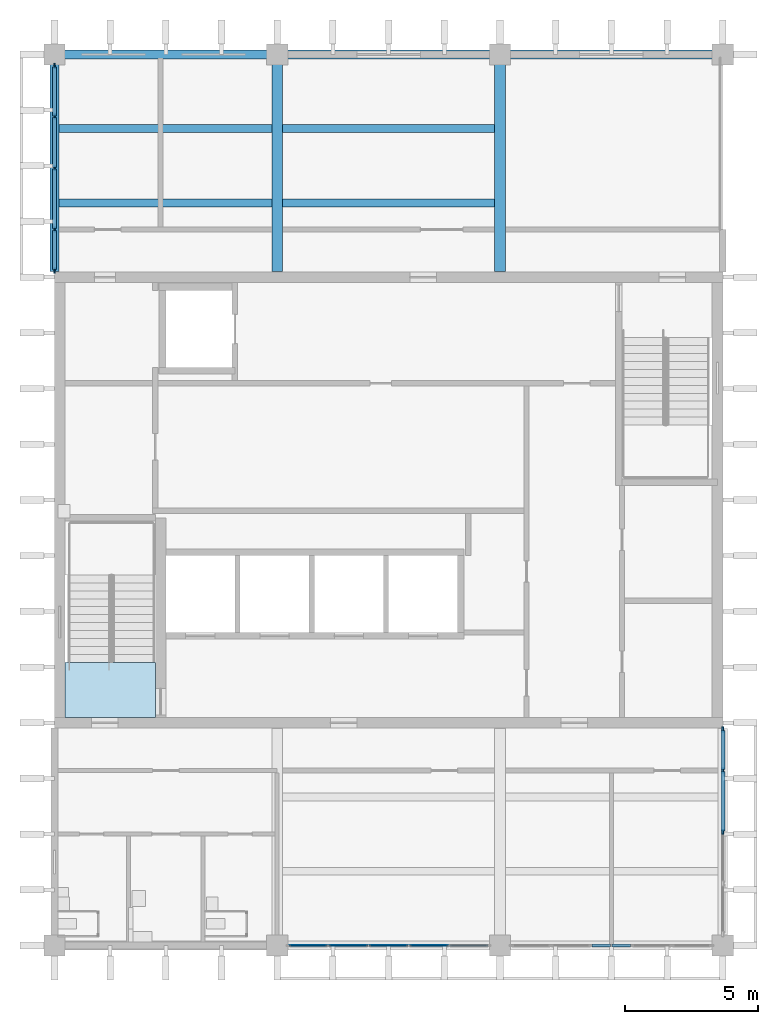
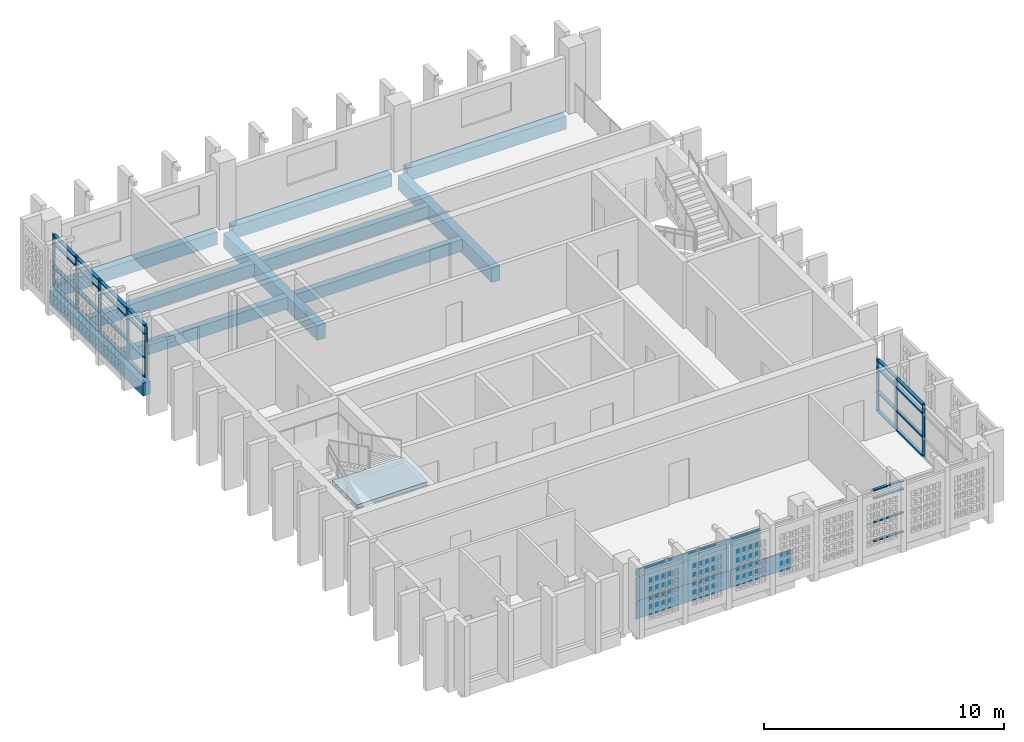
# One storey, part 3 of 13: 40 members, 13 plates, 10 beams, 1 slab, 5 elements without a shape of their own.
"""IFC4 building model written with IfcOpenShell, lengths in metres."""

from ifc_helpers import new_model, si_unit, direction, frame, origin, origin_2d, place, context, subcontext, project, spatial, polyline, rectangle, outline, extrude, material, layer, layer_set, material_profile, profile_set, type_object, element, aggregate, save


model = new_model("IFC4")

# Units and contexts
model_context = context("Model", 3, precision=1e-05, world=origin(), true_north=direction((0.0, 1.0)))
body_context = subcontext(model_context, "Body", "Model", "MODEL_VIEW")
ifc_project = project(units=[si_unit("LENGTHUNIT", "METRE"), si_unit("AREAUNIT", "SQUARE_METRE"), si_unit("VOLUMEUNIT", "CUBIC_METRE"), si_unit("PLANEANGLEUNIT", "RADIAN"), si_unit("MASSUNIT", "GRAM", prefix="KILO")], contexts=[model_context])

# Site, building, storey
site_placement = place(None, origin())
site = spatial("IfcSite", under=ifc_project, at=site_placement, CompositionType="ELEMENT")
building_placement = place(site_placement, origin())
building = spatial("IfcBuilding", under=site, at=building_placement, Name="Rulbaag Community and Learning Centre", CompositionType="ELEMENT")
storey_placement = place(building_placement, frame((0.0, 0.0, 39.60009765625)))
storey = spatial("IfcBuildingStorey", under=building, at=storey_placement, Name="L10", CompositionType="ELEMENT", Elevation=39.60009765625)

# Beams
ifc_material_1 = material(Name="Concrete M40", Category="concrete")
ifc_material_profile_1 = material_profile(ifc_material_1, rectangle(XDim=0.35009765625, YDim=0.64990234375, at=origin_2d()), Name="RB350x650")
ifc_profile_set_1 = profile_set([ifc_material_profile_1], Name="Concrete M40")
beam_type_1 = type_object("IfcBeamType", Name="B14 Tower edge beam, upper zone 350x650 Concrete M40", PredefinedType="BEAM", material=ifc_profile_set_1)
beam_1_placement = place(storey_placement, frame((142.800048828125, 109.425048828125, -0.550048828125), z_axis=(0.0, 1.0, 0.0), x_axis=(-1.0, 0.0, 0.0)))
element("IfcBeam", 1, at=beam_1_placement, inside=storey, type_object=beam_type_1, Name="BM-L10-18N-18O", PredefinedType="BEAM", context=body_context, shape_type="SweptSolid", body=[
    extrude(rectangle(XDim=0.35009765625, YDim=0.64990234375, at=origin_2d()), origin(), (0.0, 0.0, 1.0), 7.794921875),
])
beam_2_placement = place(storey_placement, frame((143.179931640625, 117.60009765625, -0.550048828125), z_axis=(1.0, 0.0, 0.0), x_axis=(0.0, 1.0, 0.0)))
element("IfcBeam", 2, at=beam_2_placement, inside=storey, type_object=beam_type_1, Name="BM-L10-18O-19O", PredefinedType="BEAM", context=body_context, shape_type="SweptSolid", body=[
    extrude(rectangle(XDim=0.35009765625, YDim=0.64990234375, at=origin_2d()), origin(), (0.0, 0.0, 1.0), 7.64013671875),
])
beam_3_placement = place(storey_placement, frame((151.580078125, 117.60009765625, -0.550048828125), z_axis=(1.0, 0.0, 0.0), x_axis=(0.0, 1.0, 0.0)))
element("IfcBeam", 3, at=beam_3_placement, inside=storey, type_object=beam_type_1, Name="BM-L10-19O-20O", PredefinedType="BEAM", context=body_context, shape_type="SweptSolid", body=[
    extrude(rectangle(XDim=0.35009765625, YDim=0.64990234375, at=origin_2d()), origin(), (0.0, 0.0, 1.0), 7.639892578125),
])
beam_4_placement = place(storey_placement, frame((159.97998046875, 117.60009765625, -0.550048828125), z_axis=(1.0, 0.0, 0.0), x_axis=(0.0, 1.0, 0.0)))
element("IfcBeam", 4, at=beam_4_placement, inside=storey, type_object=beam_type_1, Name="BM-L10-20O-21O", PredefinedType="BEAM", context=body_context, shape_type="SweptSolid", body=[
    extrude(rectangle(XDim=0.35009765625, YDim=0.64990234375, at=origin_2d()), origin(), (0.0, 0.0, 1.0), 7.64013671875),
])
ifc_material_profile_2 = material_profile(ifc_material_1, rectangle(XDim=0.39990234375, YDim=0.75, at=origin_2d()), Name="RB400x750")
ifc_profile_set_2 = profile_set([ifc_material_profile_2], Name="Concrete M40")
beam_type_2 = type_object("IfcBeamType", Name="B15 Tower frame beam, middle zone 400x750 Concrete M40", PredefinedType="BEAM", material=ifc_profile_set_2)
for number, where, z_axis, x_axis, name in (
    (5, (151.199951171875, 109.425048828125, -0.60009765625), (0.0, 1.0, 0.0), (-1.0, 0.0, 0.0), "BM-L10-19N-19O"),
    (6, (159.60009765625, 109.425048828125, -0.60009765625), (0.0, 1.0, 0.0), (-1.0, 0.0, 0.0), "BM-L10-20N-20O"),
):
    element("IfcBeam", number, at=place(storey_placement, frame(where, z_axis=z_axis, x_axis=x_axis)), inside=storey, type_object=beam_type_2, Name=name, PredefinedType="BEAM", context=body_context, shape_type="SweptSolid", body=[
        extrude(rectangle(XDim=0.39990234375, YDim=0.75, at=origin_2d()), origin(), (0.0, 0.0, 1.0), 7.794921875),
    ])
ifc_material_profile_3 = material_profile(ifc_material_1, rectangle(XDim=0.300048828125, YDim=0.60009765625, at=origin_2d()), Name="RB300x600")
ifc_profile_set_3 = profile_set([ifc_material_profile_3], Name="Concrete M40")
beam_type_3 = type_object("IfcBeamType", Name="B30 Secondary joist 300x600 Concrete M40", PredefinedType="BEAM", material=ifc_profile_set_3)
for number, where, z_axis, x_axis, name in (
    (7, (142.97509765625, 112.0, -0.525146484375), (1.0, 0.0, 0.0), (0.0, 1.0, 0.0), "BM-JS-L10-18N-1"),
    (8, (142.97509765625, 114.800048828125, -0.525146484375), (1.0, 0.0, 0.0), (0.0, 1.0, 0.0), "BM-JS-L10-18N-2"),
):
    element("IfcBeam", number, at=place(storey_placement, frame(where, z_axis=z_axis, x_axis=x_axis)), inside=storey, type_object=beam_type_3, Name=name, PredefinedType="BEAM", context=body_context, shape_type="SweptSolid", body=[
        extrude(rectangle(XDim=0.300048828125, YDim=0.60009765625, at=origin_2d()), origin(), (0.0, 0.0, 1.0), 8.02490234375),
    ])
for number, where, z_axis, x_axis, name in (
    (9, (151.39990234375, 112.0, -0.525146484375), (1.0, 0.0, 0.0), (0.0, 1.0, 0.0), "BM-JS-L10-19N-1"),
    (10, (151.39990234375, 114.800048828125, -0.525146484375), (1.0, 0.0, 0.0), (0.0, 1.0, 0.0), "BM-JS-L10-19N-2"),
):
    element("IfcBeam", number, at=place(storey_placement, frame(where, z_axis=z_axis, x_axis=x_axis)), inside=storey, type_object=beam_type_3, Name=name, PredefinedType="BEAM", context=body_context, shape_type="SweptSolid", body=[
        extrude(rectangle(XDim=0.300048828125, YDim=0.60009765625, at=origin_2d()), origin(), (0.0, 0.0, 1.0), 8.0),
    ])

# Curtain wall, members
ifc_material_2 = material(Name="Aluminium", Category="aluminium")
ifc_layer_1 = layer(ifc_material_2, 0.14990234375)
ifc_layer_set_1 = layer_set([ifc_layer_1], Name="CW-S")
curtain_wall_type_1 = type_object("IfcCurtainWallType", Name="CW-S", PredefinedType="USERDEFINED", material=ifc_layer_set_1)
curtain_wall_1_placement = place(storey_placement, origin())
curtain_wall_1 = element("IfcCurtainWall", 11, at=curtain_wall_1_placement, inside=storey, type_object=curtain_wall_type_1, Name="GS-L10-02", ObjectType="UNITISED CURTAIN WALL", PredefinedType="USERDEFINED")
ifc_material_3 = material(Name="Aluminium transom", Category="aluminium")
ifc_material_profile_4 = material_profile(ifc_material_3, rectangle(XDim=0.125, YDim=0.06005859375, at=origin_2d()), Name="AL 60x125 T")
ifc_profile_set_4 = profile_set([ifc_material_profile_4], Name="Aluminium transom")
member_type_1 = type_object("IfcMemberType", Name="CW-S-TRN", PredefinedType="USERDEFINED", material=ifc_profile_set_4)
member_1_placement = place(storey_placement, frame((163.070068359375, 84.0, 0.02978515625), z_axis=(1.0, 0.0, 0.0), x_axis=(0.0, 1.0, 0.0)))
member_1 = element("IfcMember", 12, at=member_1_placement, type_object=member_type_1, Name="GS transom 3.1", ObjectType="TRANSOM", PredefinedType="USERDEFINED", context=body_context, shape_type="SweptSolid", body=[
    extrude(rectangle(XDim=0.125, YDim=0.06005859375, at=origin_2d()), origin(), (0.0, 0.0, 1.0), 0.699951171875),
])
member_2_placement = place(storey_placement, frame((163.070068359375, 84.0, 1.0), z_axis=(1.0, 0.0, 0.0), x_axis=(0.0, 1.0, 0.0)))
member_2 = element("IfcMember", 13, at=member_2_placement, type_object=member_type_1, Name="GS transom 3.2", ObjectType="TRANSOM", PredefinedType="USERDEFINED", context=body_context, shape_type="SweptSolid", body=[
    extrude(rectangle(XDim=0.125, YDim=0.06005859375, at=origin_2d()), origin(), (0.0, 0.0, 1.0), 0.699951171875),
])
member_3_placement = place(storey_placement, frame((163.070068359375, 84.0, 2.199951171875), z_axis=(1.0, 0.0, 0.0), x_axis=(0.0, 1.0, 0.0)))
member_3 = element("IfcMember", 14, at=member_3_placement, type_object=member_type_1, Name="GS transom 3.3", ObjectType="TRANSOM", PredefinedType="USERDEFINED", context=body_context, shape_type="SweptSolid", body=[
    extrude(rectangle(XDim=0.125, YDim=0.06005859375, at=origin_2d()), origin(), (0.0, 0.0, 1.0), 0.699951171875),
])
member_4_placement = place(storey_placement, frame((163.070068359375, 84.0, 2.619873046875), z_axis=(1.0, 0.0, 0.0), x_axis=(0.0, 1.0, 0.0)))
member_4 = element("IfcMember", 15, at=member_4_placement, type_object=member_type_1, Name="GS transom 3.4", ObjectType="TRANSOM", PredefinedType="USERDEFINED", context=body_context, shape_type="SweptSolid", body=[
    extrude(rectangle(XDim=0.125, YDim=0.06005859375, at=origin_2d()), origin(), (0.0, 0.0, 1.0), 0.699951171875),
])
member_5_placement = place(storey_placement, frame((163.830078125, 84.0, 0.02978515625), z_axis=(1.0, 0.0, 0.0), x_axis=(0.0, 1.0, 0.0)))
member_5 = element("IfcMember", 16, at=member_5_placement, type_object=member_type_1, Name="GS transom 4.1", ObjectType="TRANSOM", PredefinedType="USERDEFINED", context=body_context, shape_type="SweptSolid", body=[
    extrude(rectangle(XDim=0.125, YDim=0.06005859375, at=origin_2d()), origin(), (0.0, 0.0, 1.0), 0.699951171875),
])
member_6_placement = place(storey_placement, frame((163.830078125, 84.0, 1.0), z_axis=(1.0, 0.0, 0.0), x_axis=(0.0, 1.0, 0.0)))
member_6 = element("IfcMember", 17, at=member_6_placement, type_object=member_type_1, Name="GS transom 4.2", ObjectType="TRANSOM", PredefinedType="USERDEFINED", context=body_context, shape_type="SweptSolid", body=[
    extrude(rectangle(XDim=0.125, YDim=0.06005859375, at=origin_2d()), origin(), (0.0, 0.0, 1.0), 0.699951171875),
])
member_7_placement = place(storey_placement, frame((163.830078125, 84.0, 2.199951171875), z_axis=(1.0, 0.0, 0.0), x_axis=(0.0, 1.0, 0.0)))
member_7 = element("IfcMember", 18, at=member_7_placement, type_object=member_type_1, Name="GS transom 4.3", ObjectType="TRANSOM", PredefinedType="USERDEFINED", context=body_context, shape_type="SweptSolid", body=[
    extrude(rectangle(XDim=0.125, YDim=0.06005859375, at=origin_2d()), origin(), (0.0, 0.0, 1.0), 0.699951171875),
])
member_8_placement = place(storey_placement, frame((163.830078125, 84.0, 2.619873046875), z_axis=(1.0, 0.0, 0.0), x_axis=(0.0, 1.0, 0.0)))
member_8 = element("IfcMember", 19, at=member_8_placement, type_object=member_type_1, Name="GS transom 4.4", ObjectType="TRANSOM", PredefinedType="USERDEFINED", context=body_context, shape_type="SweptSolid", body=[
    extrude(rectangle(XDim=0.125, YDim=0.06005859375, at=origin_2d()), origin(), (0.0, 0.0, 1.0), 0.699951171875),
])
aggregate(curtain_wall_1, [member_1, member_2, member_3, member_4, member_5, member_6, member_7, member_8])

ifc_layer_2 = layer(ifc_material_2, 0.14990234375)
ifc_layer_set_2 = layer_set([ifc_layer_2], Name="CW-T")
curtain_wall_type_2 = type_object("IfcCurtainWallType", Name="CW-T", PredefinedType="USERDEFINED", material=ifc_layer_set_2)
curtain_wall_2_placement = place(storey_placement, origin())
curtain_wall_2 = element("IfcCurtainWall", 20, at=curtain_wall_2_placement, inside=storey, type_object=curtain_wall_type_2, Name="GT-L10-01", ObjectType="UNITISED CURTAIN WALL", PredefinedType="USERDEFINED")
ifc_material_4 = material(Name="Aluminium mullion", Category="aluminium")
ifc_material_profile_5 = material_profile(ifc_material_4, rectangle(XDim=0.06494140625, YDim=0.199951171875, at=origin_2d()), Name="AL 65x200")
ifc_profile_set_5 = profile_set([ifc_material_profile_5], Name="Aluminium mullion")
member_type_2 = type_object("IfcMemberType", Name="CW-T-MUL", PredefinedType="MULLION", material=ifc_profile_set_5)
member_9_placement = place(storey_placement, frame((142.800048828125, 109.45751953125, 0.0), z_axis=(0.0, 0.0, 1.0), x_axis=(-1.0, 0.0, 0.0)))
member_9 = element("IfcMember", 21, at=member_9_placement, type_object=member_type_2, Name="GT mullion 1", PredefinedType="MULLION", context=body_context, shape_type="SweptSolid", body=[
    extrude(rectangle(XDim=0.06494140625, YDim=0.199951171875, at=origin_2d()), origin(), (0.0, 0.0, 1.0), 2.64990234375),
])
member_10_placement = place(storey_placement, frame((142.800048828125, 111.0, 0.0), z_axis=(0.0, 0.0, 1.0), x_axis=(-1.0, 0.0, 0.0)))
member_10 = element("IfcMember", 22, at=member_10_placement, type_object=member_type_2, Name="GT mullion 2", PredefinedType="MULLION", context=body_context, shape_type="SweptSolid", body=[
    extrude(rectangle(XDim=0.06494140625, YDim=0.199951171875, at=origin_2d()), origin(), (0.0, 0.0, 1.0), 2.64990234375),
])
member_11_placement = place(storey_placement, frame((142.800048828125, 113.3125, 0.0), z_axis=(0.0, 0.0, 1.0), x_axis=(-1.0, 0.0, 0.0)))
member_11 = element("IfcMember", 23, at=member_11_placement, type_object=member_type_2, Name="GT mullion 3", PredefinedType="MULLION", context=body_context, shape_type="SweptSolid", body=[
    extrude(rectangle(XDim=0.06494140625, YDim=0.199951171875, at=origin_2d()), origin(), (0.0, 0.0, 1.0), 2.64990234375),
])
member_12_placement = place(storey_placement, frame((142.800048828125, 115.25634765625, 0.0), z_axis=(0.0, 0.0, 1.0), x_axis=(-1.0, 0.0, 0.0)))
member_12 = element("IfcMember", 24, at=member_12_placement, type_object=member_type_2, Name="GT mullion 4", PredefinedType="MULLION", context=body_context, shape_type="SweptSolid", body=[
    extrude(rectangle(XDim=0.06494140625, YDim=0.199951171875, at=origin_2d()), origin(), (0.0, 0.0, 1.0), 2.64990234375),
])
member_13_placement = place(storey_placement, frame((142.800048828125, 117.16748046875, 0.0), z_axis=(0.0, 0.0, 1.0), x_axis=(-1.0, 0.0, 0.0)))
member_13 = element("IfcMember", 25, at=member_13_placement, type_object=member_type_2, Name="GT mullion 5", PredefinedType="MULLION", context=body_context, shape_type="SweptSolid", body=[
    extrude(rectangle(XDim=0.06494140625, YDim=0.199951171875, at=origin_2d()), origin(), (0.0, 0.0, 1.0), 2.64990234375),
])

curtain_wall_3_placement = place(storey_placement, origin())
curtain_wall_3 = element("IfcCurtainWall", 26, at=curtain_wall_3_placement, inside=storey, type_object=curtain_wall_type_2, Name="GT-L10-02", ObjectType="UNITISED CURTAIN WALL", PredefinedType="USERDEFINED")
member_14_placement = place(storey_placement, frame((168.0, 88.28759765625, 0.0), z_axis=(0.0, 0.0, 1.0), x_axis=(-1.0, 0.0, 0.0)))
member_14 = element("IfcMember", 27, at=member_14_placement, type_object=member_type_2, Name="GT mullion 3", PredefinedType="MULLION", context=body_context, shape_type="SweptSolid", body=[
    extrude(rectangle(XDim=0.06494140625, YDim=0.199951171875, at=origin_2d()), origin(), (0.0, 0.0, 1.0), 2.64990234375),
])
member_15_placement = place(storey_placement, frame((168.0, 90.60009765625, 0.0), z_axis=(0.0, 0.0, 1.0), x_axis=(-1.0, 0.0, 0.0)))
member_15 = element("IfcMember", 28, at=member_15_placement, type_object=member_type_2, Name="GT mullion 4", PredefinedType="MULLION", context=body_context, shape_type="SweptSolid", body=[
    extrude(rectangle(XDim=0.06494140625, YDim=0.199951171875, at=origin_2d()), origin(), (0.0, 0.0, 1.0), 2.64990234375),
])
member_16_placement = place(storey_placement, frame((168.0, 92.142578125, 0.0), z_axis=(0.0, 0.0, 1.0), x_axis=(-1.0, 0.0, 0.0)))
member_16 = element("IfcMember", 29, at=member_16_placement, type_object=member_type_2, Name="GT mullion 5", PredefinedType="MULLION", context=body_context, shape_type="SweptSolid", body=[
    extrude(rectangle(XDim=0.06494140625, YDim=0.199951171875, at=origin_2d()), origin(), (0.0, 0.0, 1.0), 2.64990234375),
])

# Member
ifc_material_profile_6 = material_profile(ifc_material_3, rectangle(XDim=0.14990234375, YDim=0.06494140625, at=origin_2d()), Name="AL 65x150 T")
ifc_profile_set_6 = profile_set([ifc_material_profile_6], Name="Aluminium transom")
member_type_3 = type_object("IfcMemberType", Name="CW-T-TRN", PredefinedType="USERDEFINED", material=ifc_profile_set_6)
member_17_placement = place(storey_placement, frame((142.800048828125, 109.489990234375, 0.032470703125), z_axis=(0.0, 1.0, 0.0), x_axis=(-1.0, 0.0, 0.0)))
member_17 = element("IfcMember", 30, at=member_17_placement, type_object=member_type_3, Name="GT transom 1.1", ObjectType="TRANSOM", PredefinedType="USERDEFINED", context=body_context, shape_type="SweptSolid", body=[
    extrude(rectangle(XDim=0.14990234375, YDim=0.06494140625, at=origin_2d()), origin(), (0.0, 0.0, 1.0), 1.4775390625),
])

member_18_placement = place(storey_placement, frame((142.800048828125, 109.489990234375, 1.0), z_axis=(0.0, 1.0, 0.0), x_axis=(-1.0, 0.0, 0.0)))
member_18 = element("IfcMember", 31, at=member_18_placement, type_object=member_type_3, Name="GT transom 1.2", ObjectType="TRANSOM", PredefinedType="USERDEFINED", context=body_context, shape_type="SweptSolid", body=[
    extrude(rectangle(XDim=0.14990234375, YDim=0.06494140625, at=origin_2d()), origin(), (0.0, 0.0, 1.0), 1.4775390625),
])

member_19_placement = place(storey_placement, frame((142.800048828125, 109.489990234375, 2.199951171875), z_axis=(0.0, 1.0, 0.0), x_axis=(-1.0, 0.0, 0.0)))
member_19 = element("IfcMember", 32, at=member_19_placement, type_object=member_type_3, Name="GT transom 1.3", ObjectType="TRANSOM", PredefinedType="USERDEFINED", context=body_context, shape_type="SweptSolid", body=[
    extrude(rectangle(XDim=0.14990234375, YDim=0.06494140625, at=origin_2d()), origin(), (0.0, 0.0, 1.0), 1.4775390625),
])

member_20_placement = place(storey_placement, frame((142.800048828125, 109.489990234375, 2.617431640625), z_axis=(0.0, 1.0, 0.0), x_axis=(-1.0, 0.0, 0.0)))
member_20 = element("IfcMember", 33, at=member_20_placement, type_object=member_type_3, Name="GT transom 1.4", ObjectType="TRANSOM", PredefinedType="USERDEFINED", context=body_context, shape_type="SweptSolid", body=[
    extrude(rectangle(XDim=0.14990234375, YDim=0.06494140625, at=origin_2d()), origin(), (0.0, 0.0, 1.0), 1.4775390625),
])

member_21_placement = place(storey_placement, frame((142.800048828125, 111.032470703125, 0.032470703125), z_axis=(0.0, 1.0, 0.0), x_axis=(-1.0, 0.0, 0.0)))
member_21 = element("IfcMember", 34, at=member_21_placement, type_object=member_type_3, Name="GT transom 2.1", ObjectType="TRANSOM", PredefinedType="USERDEFINED", context=body_context, shape_type="SweptSolid", body=[
    extrude(rectangle(XDim=0.14990234375, YDim=0.06494140625, at=origin_2d()), origin(), (0.0, 0.0, 1.0), 2.24755859375),
])

member_22_placement = place(storey_placement, frame((142.800048828125, 111.032470703125, 1.0), z_axis=(0.0, 1.0, 0.0), x_axis=(-1.0, 0.0, 0.0)))
member_22 = element("IfcMember", 35, at=member_22_placement, type_object=member_type_3, Name="GT transom 2.2", ObjectType="TRANSOM", PredefinedType="USERDEFINED", context=body_context, shape_type="SweptSolid", body=[
    extrude(rectangle(XDim=0.14990234375, YDim=0.06494140625, at=origin_2d()), origin(), (0.0, 0.0, 1.0), 2.24755859375),
])

member_23_placement = place(storey_placement, frame((142.800048828125, 111.032470703125, 2.199951171875), z_axis=(0.0, 1.0, 0.0), x_axis=(-1.0, 0.0, 0.0)))
member_23 = element("IfcMember", 36, at=member_23_placement, type_object=member_type_3, Name="GT transom 2.3", ObjectType="TRANSOM", PredefinedType="USERDEFINED", context=body_context, shape_type="SweptSolid", body=[
    extrude(rectangle(XDim=0.14990234375, YDim=0.06494140625, at=origin_2d()), origin(), (0.0, 0.0, 1.0), 2.24755859375),
])

member_24_placement = place(storey_placement, frame((142.800048828125, 111.032470703125, 2.617431640625), z_axis=(0.0, 1.0, 0.0), x_axis=(-1.0, 0.0, 0.0)))
member_24 = element("IfcMember", 37, at=member_24_placement, type_object=member_type_3, Name="GT transom 2.4", ObjectType="TRANSOM", PredefinedType="USERDEFINED", context=body_context, shape_type="SweptSolid", body=[
    extrude(rectangle(XDim=0.14990234375, YDim=0.06494140625, at=origin_2d()), origin(), (0.0, 0.0, 1.0), 2.24755859375),
])

member_25_placement = place(storey_placement, frame((142.800048828125, 113.344970703125, 0.032470703125), z_axis=(0.0, 1.0, 0.0), x_axis=(-1.0, 0.0, 0.0)))
member_25 = element("IfcMember", 38, at=member_25_placement, type_object=member_type_3, Name="GT transom 3.1", ObjectType="TRANSOM", PredefinedType="USERDEFINED", context=body_context, shape_type="SweptSolid", body=[
    extrude(rectangle(XDim=0.14990234375, YDim=0.06494140625, at=origin_2d()), origin(), (0.0, 0.0, 1.0), 1.878662109375),
])

member_26_placement = place(storey_placement, frame((142.800048828125, 113.344970703125, 1.0), z_axis=(0.0, 1.0, 0.0), x_axis=(-1.0, 0.0, 0.0)))
member_26 = element("IfcMember", 39, at=member_26_placement, type_object=member_type_3, Name="GT transom 3.2", ObjectType="TRANSOM", PredefinedType="USERDEFINED", context=body_context, shape_type="SweptSolid", body=[
    extrude(rectangle(XDim=0.14990234375, YDim=0.06494140625, at=origin_2d()), origin(), (0.0, 0.0, 1.0), 1.878662109375),
])

member_27_placement = place(storey_placement, frame((142.800048828125, 113.344970703125, 2.199951171875), z_axis=(0.0, 1.0, 0.0), x_axis=(-1.0, 0.0, 0.0)))
member_27 = element("IfcMember", 40, at=member_27_placement, type_object=member_type_3, Name="GT transom 3.3", ObjectType="TRANSOM", PredefinedType="USERDEFINED", context=body_context, shape_type="SweptSolid", body=[
    extrude(rectangle(XDim=0.14990234375, YDim=0.06494140625, at=origin_2d()), origin(), (0.0, 0.0, 1.0), 1.878662109375),
])

member_28_placement = place(storey_placement, frame((142.800048828125, 113.344970703125, 2.617431640625), z_axis=(0.0, 1.0, 0.0), x_axis=(-1.0, 0.0, 0.0)))
member_28 = element("IfcMember", 41, at=member_28_placement, type_object=member_type_3, Name="GT transom 3.4", ObjectType="TRANSOM", PredefinedType="USERDEFINED", context=body_context, shape_type="SweptSolid", body=[
    extrude(rectangle(XDim=0.14990234375, YDim=0.06494140625, at=origin_2d()), origin(), (0.0, 0.0, 1.0), 1.878662109375),
])

member_29_placement = place(storey_placement, frame((142.800048828125, 115.288818359375, 0.032470703125), z_axis=(0.0, 1.0, 0.0), x_axis=(-1.0, 0.0, 0.0)))
member_29 = element("IfcMember", 42, at=member_29_placement, type_object=member_type_3, Name="GT transom 4.1", ObjectType="TRANSOM", PredefinedType="USERDEFINED", context=body_context, shape_type="SweptSolid", body=[
    extrude(rectangle(XDim=0.14990234375, YDim=0.06494140625, at=origin_2d()), origin(), (0.0, 0.0, 1.0), 1.84619140625),
])

member_30_placement = place(storey_placement, frame((142.800048828125, 115.288818359375, 1.0), z_axis=(0.0, 1.0, 0.0), x_axis=(-1.0, 0.0, 0.0)))
member_30 = element("IfcMember", 43, at=member_30_placement, type_object=member_type_3, Name="GT transom 4.2", ObjectType="TRANSOM", PredefinedType="USERDEFINED", context=body_context, shape_type="SweptSolid", body=[
    extrude(rectangle(XDim=0.14990234375, YDim=0.06494140625, at=origin_2d()), origin(), (0.0, 0.0, 1.0), 1.84619140625),
])

member_31_placement = place(storey_placement, frame((142.800048828125, 115.288818359375, 2.199951171875), z_axis=(0.0, 1.0, 0.0), x_axis=(-1.0, 0.0, 0.0)))
member_31 = element("IfcMember", 44, at=member_31_placement, type_object=member_type_3, Name="GT transom 4.3", ObjectType="TRANSOM", PredefinedType="USERDEFINED", context=body_context, shape_type="SweptSolid", body=[
    extrude(rectangle(XDim=0.14990234375, YDim=0.06494140625, at=origin_2d()), origin(), (0.0, 0.0, 1.0), 1.84619140625),
])

member_32_placement = place(storey_placement, frame((142.800048828125, 115.288818359375, 2.617431640625), z_axis=(0.0, 1.0, 0.0), x_axis=(-1.0, 0.0, 0.0)))
member_32 = element("IfcMember", 45, at=member_32_placement, type_object=member_type_3, Name="GT transom 4.4", ObjectType="TRANSOM", PredefinedType="USERDEFINED", context=body_context, shape_type="SweptSolid", body=[
    extrude(rectangle(XDim=0.14990234375, YDim=0.06494140625, at=origin_2d()), origin(), (0.0, 0.0, 1.0), 1.84619140625),
])

aggregate(curtain_wall_2, [member_9, member_10, member_11, member_12, member_13, member_17, member_18, member_19, member_20, member_21, member_22, member_23, member_24, member_25, member_26, member_27, member_28, member_29, member_30, member_31, member_32])

member_33_placement = place(storey_placement, frame((168.0, 88.320068359375, 0.032470703125), z_axis=(0.0, 1.0, 0.0), x_axis=(-1.0, 0.0, 0.0)))
member_33 = element("IfcMember", 46, at=member_33_placement, type_object=member_type_3, Name="GT transom 3.1", ObjectType="TRANSOM", PredefinedType="USERDEFINED", context=body_context, shape_type="SweptSolid", body=[
    extrude(rectangle(XDim=0.14990234375, YDim=0.06494140625, at=origin_2d()), origin(), (0.0, 0.0, 1.0), 2.247314453125),
])

member_34_placement = place(storey_placement, frame((168.0, 88.320068359375, 1.0), z_axis=(0.0, 1.0, 0.0), x_axis=(-1.0, 0.0, 0.0)))
member_34 = element("IfcMember", 47, at=member_34_placement, type_object=member_type_3, Name="GT transom 3.2", ObjectType="TRANSOM", PredefinedType="USERDEFINED", context=body_context, shape_type="SweptSolid", body=[
    extrude(rectangle(XDim=0.14990234375, YDim=0.06494140625, at=origin_2d()), origin(), (0.0, 0.0, 1.0), 2.247314453125),
])

member_35_placement = place(storey_placement, frame((168.0, 88.320068359375, 2.199951171875), z_axis=(0.0, 1.0, 0.0), x_axis=(-1.0, 0.0, 0.0)))
member_35 = element("IfcMember", 48, at=member_35_placement, type_object=member_type_3, Name="GT transom 3.3", ObjectType="TRANSOM", PredefinedType="USERDEFINED", context=body_context, shape_type="SweptSolid", body=[
    extrude(rectangle(XDim=0.14990234375, YDim=0.06494140625, at=origin_2d()), origin(), (0.0, 0.0, 1.0), 2.247314453125),
])

member_36_placement = place(storey_placement, frame((168.0, 88.320068359375, 2.617431640625), z_axis=(0.0, 1.0, 0.0), x_axis=(-1.0, 0.0, 0.0)))
member_36 = element("IfcMember", 49, at=member_36_placement, type_object=member_type_3, Name="GT transom 3.4", ObjectType="TRANSOM", PredefinedType="USERDEFINED", context=body_context, shape_type="SweptSolid", body=[
    extrude(rectangle(XDim=0.14990234375, YDim=0.06494140625, at=origin_2d()), origin(), (0.0, 0.0, 1.0), 2.247314453125),
])

member_37_placement = place(storey_placement, frame((168.0, 90.632568359375, 0.032470703125), z_axis=(0.0, 1.0, 0.0), x_axis=(-1.0, 0.0, 0.0)))
member_37 = element("IfcMember", 50, at=member_37_placement, type_object=member_type_3, Name="GT transom 4.1", ObjectType="TRANSOM", PredefinedType="USERDEFINED", context=body_context, shape_type="SweptSolid", body=[
    extrude(rectangle(XDim=0.14990234375, YDim=0.06494140625, at=origin_2d()), origin(), (0.0, 0.0, 1.0), 1.4775390625),
])

member_38_placement = place(storey_placement, frame((168.0, 90.632568359375, 1.0), z_axis=(0.0, 1.0, 0.0), x_axis=(-1.0, 0.0, 0.0)))
member_38 = element("IfcMember", 51, at=member_38_placement, type_object=member_type_3, Name="GT transom 4.2", ObjectType="TRANSOM", PredefinedType="USERDEFINED", context=body_context, shape_type="SweptSolid", body=[
    extrude(rectangle(XDim=0.14990234375, YDim=0.06494140625, at=origin_2d()), origin(), (0.0, 0.0, 1.0), 1.4775390625),
])

member_39_placement = place(storey_placement, frame((168.0, 90.632568359375, 2.199951171875), z_axis=(0.0, 1.0, 0.0), x_axis=(-1.0, 0.0, 0.0)))
member_39 = element("IfcMember", 52, at=member_39_placement, type_object=member_type_3, Name="GT transom 4.3", ObjectType="TRANSOM", PredefinedType="USERDEFINED", context=body_context, shape_type="SweptSolid", body=[
    extrude(rectangle(XDim=0.14990234375, YDim=0.06494140625, at=origin_2d()), origin(), (0.0, 0.0, 1.0), 1.4775390625),
])

member_40_placement = place(storey_placement, frame((168.0, 90.632568359375, 2.617431640625), z_axis=(0.0, 1.0, 0.0), x_axis=(-1.0, 0.0, 0.0)))
member_40 = element("IfcMember", 53, at=member_40_placement, type_object=member_type_3, Name="GT transom 4.4", ObjectType="TRANSOM", PredefinedType="USERDEFINED", context=body_context, shape_type="SweptSolid", body=[
    extrude(rectangle(XDim=0.14990234375, YDim=0.06494140625, at=origin_2d()), origin(), (0.0, 0.0, 1.0), 1.4775390625),
])

aggregate(curtain_wall_3, [member_14, member_15, member_16, member_33, member_34, member_35, member_36, member_37, member_38, member_39, member_40])

# Curtain wall, plates
curtain_wall_4_placement = place(storey_placement, origin())
curtain_wall_4 = element("IfcCurtainWall", 54, at=curtain_wall_4_placement, inside=storey, type_object=curtain_wall_type_1, Name="GS-L10-01", ObjectType="UNITISED CURTAIN WALL", PredefinedType="USERDEFINED")
ifc_layer_3 = layer(ifc_material_2, 0.054931640625)
ifc_layer_set_3 = layer_set([ifc_layer_3], Name="CW-S-SPN")
plate_type_1 = type_object("IfcPlateType", Name="CW-S-SPN", PredefinedType="CURTAIN_PANEL", material=ifc_layer_set_3)
plate_1_placement = place(storey_placement, frame((152.375, 84.0, 0.06005859375), z_axis=(0.0, 0.0, 1.0), x_axis=(1.0, 0.0, 0.0)))
plate_1 = element("IfcPlate", 55, at=plate_1_placement, type_object=plate_type_1, Name="GS spandrel panel", PredefinedType="CURTAIN_PANEL", context=body_context, shape_type="SweptSolid", body=[
    extrude(rectangle(XDim=1.429931640625, YDim=0.054931640625, at=origin_2d()), origin(), (0.0, 0.0, 1.0), 0.909912109375),
])
plate_2_placement = place(storey_placement, frame((152.375, 84.0, 2.22998046875), z_axis=(0.0, 0.0, 1.0), x_axis=(1.0, 0.0, 0.0)))
plate_2 = element("IfcPlate", 56, at=plate_2_placement, type_object=plate_type_1, Name="GS spandrel panel", PredefinedType="CURTAIN_PANEL", context=body_context, shape_type="SweptSolid", body=[
    extrude(rectangle(XDim=1.429931640625, YDim=0.054931640625, at=origin_2d()), origin(), (0.0, 0.0, 1.0), 0.360107421875),
])
plate_3_placement = place(storey_placement, frame((153.8798828125, 84.0, 0.06005859375), z_axis=(0.0, 0.0, 1.0), x_axis=(1.0, 0.0, 0.0)))
plate_3 = element("IfcPlate", 57, at=plate_3_placement, type_object=plate_type_1, Name="GS spandrel panel", PredefinedType="CURTAIN_PANEL", context=body_context, shape_type="SweptSolid", body=[
    extrude(rectangle(XDim=1.4599609375, YDim=0.054931640625, at=origin_2d()), origin(), (0.0, 0.0, 1.0), 0.909912109375),
])
plate_4_placement = place(storey_placement, frame((153.8798828125, 84.0, 2.22998046875), z_axis=(0.0, 0.0, 1.0), x_axis=(1.0, 0.0, 0.0)))
plate_4 = element("IfcPlate", 58, at=plate_4_placement, type_object=plate_type_1, Name="GS spandrel panel", PredefinedType="CURTAIN_PANEL", context=body_context, shape_type="SweptSolid", body=[
    extrude(rectangle(XDim=1.4599609375, YDim=0.054931640625, at=origin_2d()), origin(), (0.0, 0.0, 1.0), 0.360107421875),
])
plate_5_placement = place(storey_placement, frame((155.39990234375, 84.0, 0.06005859375), z_axis=(0.0, 0.0, 1.0), x_axis=(1.0, 0.0, 0.0)))
plate_5 = element("IfcPlate", 59, at=plate_5_placement, type_object=plate_type_1, Name="GS spandrel panel", PredefinedType="CURTAIN_PANEL", context=body_context, shape_type="SweptSolid", body=[
    extrude(rectangle(XDim=1.4599609375, YDim=0.054931640625, at=origin_2d()), origin(), (0.0, 0.0, 1.0), 0.909912109375),
])
plate_6_placement = place(storey_placement, frame((155.39990234375, 84.0, 2.22998046875), z_axis=(0.0, 0.0, 1.0), x_axis=(1.0, 0.0, 0.0)))
plate_6 = element("IfcPlate", 60, at=plate_6_placement, type_object=plate_type_1, Name="GS spandrel panel", PredefinedType="CURTAIN_PANEL", context=body_context, shape_type="SweptSolid", body=[
    extrude(rectangle(XDim=1.4599609375, YDim=0.054931640625, at=origin_2d()), origin(), (0.0, 0.0, 1.0), 0.360107421875),
])
plate_7_placement = place(storey_placement, frame((156.919921875, 84.0, 0.06005859375), z_axis=(0.0, 0.0, 1.0), x_axis=(1.0, 0.0, 0.0)))
plate_7 = element("IfcPlate", 61, at=plate_7_placement, type_object=plate_type_1, Name="GS spandrel panel", PredefinedType="CURTAIN_PANEL", context=body_context, shape_type="SweptSolid", body=[
    extrude(rectangle(XDim=1.4599609375, YDim=0.054931640625, at=origin_2d()), origin(), (0.0, 0.0, 1.0), 0.909912109375),
])
plate_8_placement = place(storey_placement, frame((156.919921875, 84.0, 2.22998046875), z_axis=(0.0, 0.0, 1.0), x_axis=(1.0, 0.0, 0.0)))
plate_8 = element("IfcPlate", 62, at=plate_8_placement, type_object=plate_type_1, Name="GS spandrel panel", PredefinedType="CURTAIN_PANEL", context=body_context, shape_type="SweptSolid", body=[
    extrude(rectangle(XDim=1.4599609375, YDim=0.054931640625, at=origin_2d()), origin(), (0.0, 0.0, 1.0), 0.360107421875),
])
plate_9_placement = place(storey_placement, frame((158.425048828125, 84.0, 0.06005859375), z_axis=(0.0, 0.0, 1.0), x_axis=(1.0, 0.0, 0.0)))
plate_9 = element("IfcPlate", 63, at=plate_9_placement, type_object=plate_type_1, Name="GS spandrel panel", PredefinedType="CURTAIN_PANEL", context=body_context, shape_type="SweptSolid", body=[
    extrude(rectangle(XDim=1.429931640625, YDim=0.054931640625, at=origin_2d()), origin(), (0.0, 0.0, 1.0), 0.909912109375),
])
ifc_material_5 = material(Name="Glass", Category="glass")
ifc_layer_4 = layer(ifc_material_5, 0.030029296875)
ifc_layer_set_4 = layer_set([ifc_layer_4], Name="CW-S-VIS")
plate_type_2 = type_object("IfcPlateType", Name="CW-S-VIS", PredefinedType="CURTAIN_PANEL", material=ifc_layer_set_4)
plate_10_placement = place(storey_placement, frame((152.375, 84.0, 1.02978515625), z_axis=(0.0, 0.0, 1.0), x_axis=(1.0, 0.0, 0.0)))
plate_10 = element("IfcPlate", 64, at=plate_10_placement, type_object=plate_type_2, Name="GS vision panel", PredefinedType="CURTAIN_PANEL", context=body_context, shape_type="SweptSolid", body=[
    extrude(rectangle(XDim=1.429931640625, YDim=0.030029296875, at=origin_2d()), origin(), (0.0, 0.0, 1.0), 1.139892578125),
])
plate_11_placement = place(storey_placement, frame((153.8798828125, 84.0, 1.02978515625), z_axis=(0.0, 0.0, 1.0), x_axis=(1.0, 0.0, 0.0)))
plate_11 = element("IfcPlate", 65, at=plate_11_placement, type_object=plate_type_2, Name="GS vision panel", PredefinedType="CURTAIN_PANEL", context=body_context, shape_type="SweptSolid", body=[
    extrude(rectangle(XDim=1.4599609375, YDim=0.030029296875, at=origin_2d()), origin(), (0.0, 0.0, 1.0), 1.139892578125),
])
plate_12_placement = place(storey_placement, frame((155.39990234375, 84.0, 1.02978515625), z_axis=(0.0, 0.0, 1.0), x_axis=(1.0, 0.0, 0.0)))
plate_12 = element("IfcPlate", 66, at=plate_12_placement, type_object=plate_type_2, Name="GS vision panel", PredefinedType="CURTAIN_PANEL", context=body_context, shape_type="SweptSolid", body=[
    extrude(rectangle(XDim=1.4599609375, YDim=0.030029296875, at=origin_2d()), origin(), (0.0, 0.0, 1.0), 1.139892578125),
])
plate_13_placement = place(storey_placement, frame((156.919921875, 84.0, 1.02978515625), z_axis=(0.0, 0.0, 1.0), x_axis=(1.0, 0.0, 0.0)))
plate_13 = element("IfcPlate", 67, at=plate_13_placement, type_object=plate_type_2, Name="GS vision panel", PredefinedType="CURTAIN_PANEL", context=body_context, shape_type="SweptSolid", body=[
    extrude(rectangle(XDim=1.4599609375, YDim=0.030029296875, at=origin_2d()), origin(), (0.0, 0.0, 1.0), 1.139892578125),
])
aggregate(curtain_wall_4, [plate_1, plate_10, plate_2, plate_3, plate_11, plate_4, plate_5, plate_12, plate_6, plate_7, plate_13, plate_8, plate_9])

# Stair, slab
stair_type = type_object("IfcStairType", Name="ST-1650 STAIR 1650 WIDE", PredefinedType="HALF_TURN_STAIR", material=ifc_material_1)
stair_placement = place(storey_placement, origin())
stair = element("IfcStair", 68, at=stair_placement, inside=storey, type_object=stair_type, Name="Stair ST1 L10", PredefinedType="HALF_TURN_STAIR")
ifc_layer_5 = layer(ifc_material_1, 0.179931640625)
ifc_layer_set_5 = layer_set([ifc_layer_5], Name="LN-180 LANDING 180 Concrete M40")
slab_type = type_object("IfcSlabType", Name="LN-180 LANDING 180 Concrete M40", PredefinedType="LANDING", material=ifc_layer_set_5)
slab_placement = place(storey_placement, frame((0.0, 0.0, 3.419921875)))
slab = element("IfcSlab", 69, at=slab_placement, type_object=slab_type, Name="ST1 landing 2", PredefinedType="LANDING", context=body_context, shape_type="SweptSolid", body=[
    extrude(outline(polyline([(143.199951171875, 92.60009765625), (143.199951171875, 94.675048828125), (146.60009765625, 94.675048828125), (146.60009765625, 92.60009765625), (143.199951171875, 92.60009765625)])), origin(), (0.0, 0.0, 1.0), 0.179931640625),
])
aggregate(stair, [slab])

save(model, "model.ifc")
